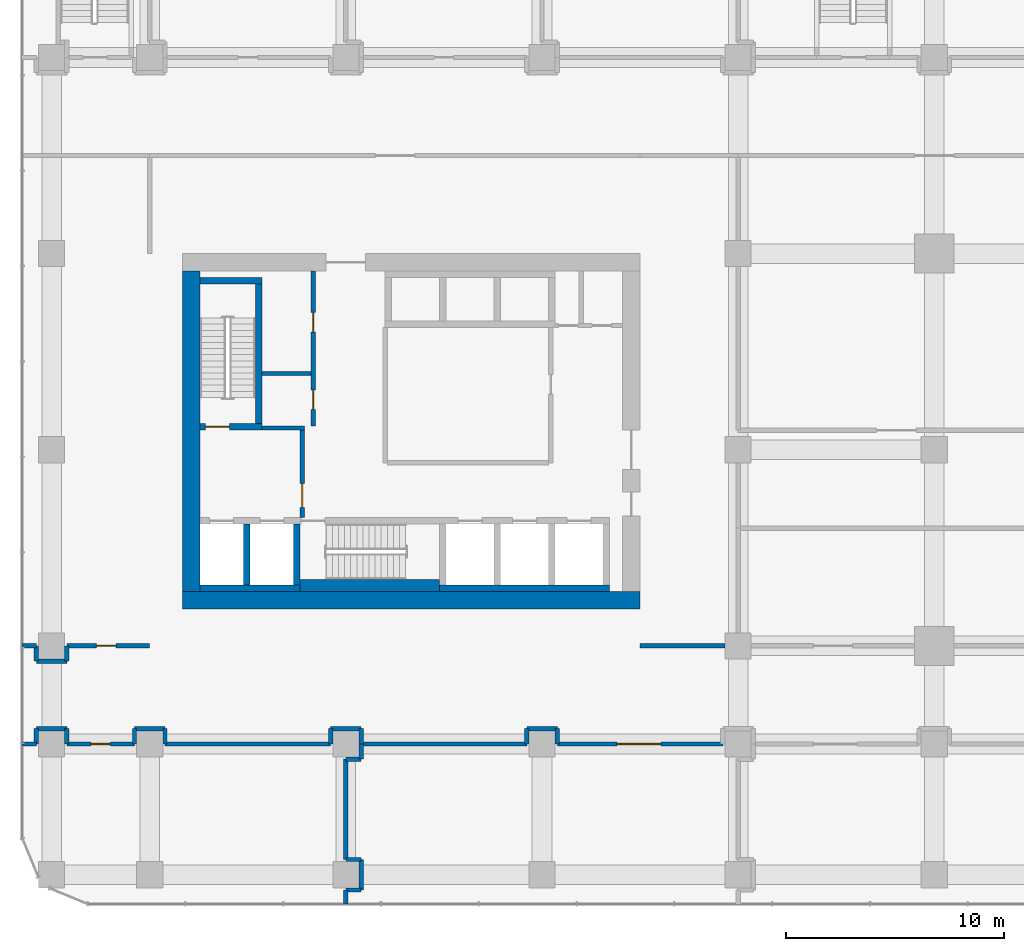
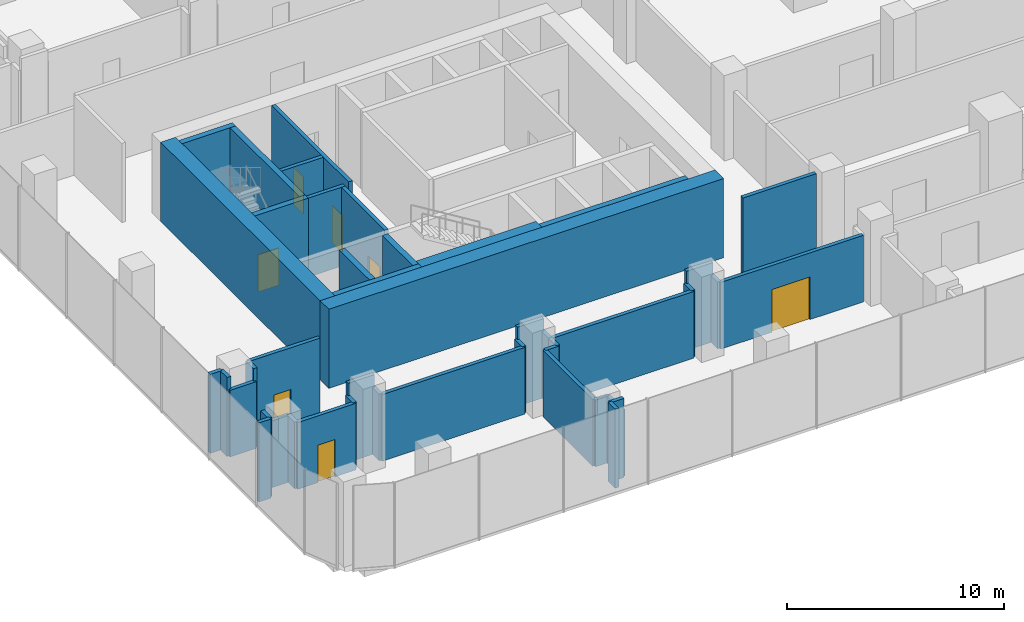
# One storey, part 28 of 42: 44 walls, 7 doors, 7 openings.
"""IFC4 building model written with IfcOpenShell, lengths in metres."""

from ifc_helpers import new_model, si_unit, direction, frame, frame_2d, origin, place, context, subcontext, project, spatial, rectangle, extrude, material, layer, layer_set, type_object, element, fill, save


model = new_model("IFC4")

# Units and contexts
model_context = context("Model", 3, precision=1e-05, world=origin(), true_north=direction((0.0, 1.0)))
body_context = subcontext(model_context, "Body", "Model", "MODEL_VIEW")
ifc_project = project(units=[si_unit("LENGTHUNIT", "METRE"), si_unit("AREAUNIT", "SQUARE_METRE"), si_unit("VOLUMEUNIT", "CUBIC_METRE"), si_unit("PLANEANGLEUNIT", "RADIAN"), si_unit("MASSUNIT", "GRAM", prefix="KILO")], contexts=[model_context])

# Site, building, storey
site_placement = place(None, origin())
site = spatial("IfcSite", under=ifc_project, at=site_placement, CompositionType="ELEMENT")
building_placement = place(site_placement, origin())
building = spatial("IfcBuilding", under=site, at=building_placement, Name="Plateau Cross Towers", CompositionType="ELEMENT")
storey_placement = place(building_placement, frame((0.0, 0.0, 8.0)))
storey = spatial("IfcBuildingStorey", under=building, at=storey_placement, Name="L01", CompositionType="ELEMENT", Elevation=8.0)

# Wall, opening, door
ifc_material_1 = material(Name="Concrete block, plastered both sides", Category="concrete")
ifc_layer_1 = layer(ifc_material_1, 0.199951171875)
ifc_layer_set_1 = layer_set([ifc_layer_1], Name="Concrete block, plastered both sides")
wall_type_1 = type_object("IfcWallType", Name="Core partition 200", PredefinedType="PARTITIONING", material=ifc_layer_set_1)
wall_1_placement = place(storey_placement, frame((7.0, 5.89990234375, 0.0), z_axis=(0.0, 0.0, 1.0), x_axis=(0.0, 1.0, 0.0)))
wall_1 = element("IfcWall", 1, at=wall_1_placement, inside=storey, type_object=wall_type_1, Name="Core partition", PredefinedType="PARTITIONING", context=body_context, shape_type="SweptSolid", body=[
    extrude(rectangle(XDim=4.0, YDim=0.199951171875, at=frame_2d((2.0, 0.0))), origin(), (0.0, 0.0, 1.0), 4.449951171875),
])
opening_1_placement = place(wall_1_placement, frame((0.449951171875, 0.0, 0.0)))
opening_1 = element("IfcOpeningElement", 2, at=opening_1_placement, cuts=wall_1, Name="Opening FFD", PredefinedType="OPENING", context=body_context, shape_type="SweptSolid", body=[
    extrude(rectangle(XDim=1.10009765625, YDim=2.10009765625, at=frame_2d((0.550048828125, 1.050048828125))), frame((0.0, 0.10986328125, 0.0), z_axis=(0.0, -1.0, 0.0), x_axis=(1.0, 0.0, 0.0)), (0.0, 0.0, 1.0), 0.219970703125),
])
ifc_material_2 = material(Name="Steel, fire-resisting leaf", Category="steel")
door_type_1 = type_object("IfcDoorType", Name="Firefighting lobby door 1100", OperationType="NOTDEFINED", PredefinedType="DOOR", material=ifc_material_2)
door_1_placement = place(opening_1_placement, origin())
door_1 = element("IfcDoor", 3, at=door_1_placement, inside=storey, type_object=door_type_1, Name="Firefighting lobby door FFD", OperationType="SINGLE_SWING_LEFT", OverallHeight=2.10009765625, OverallWidth=1.10009765625, PredefinedType="DOOR", context=body_context, shape_type="SweptSolid", body=[
    extrude(rectangle(XDim=1.10009765625, YDim=2.10009765625, at=frame_2d((0.550048828125, 1.050048828125))), frame((0.0, 0.02490234375, 0.0), z_axis=(0.0, -1.0, 0.0), x_axis=(1.0, 0.0, 0.0)), (0.0, 0.0, 1.0), 0.050048828125),
])
fill(opening_1, door_1)

# Wall
wall_2_placement = place(storey_placement, frame((5.14990234375, 10.0, 0.0), z_axis=(0.0, 0.0, 1.0), x_axis=(1.0, 0.0, 0.0)))
element("IfcWall", 4, at=wall_2_placement, inside=storey, type_object=wall_type_1, Name="Core partition", PredefinedType="PARTITIONING", context=body_context, shape_type="SweptSolid", body=[
    extrude(rectangle(XDim=1.9501953125, YDim=0.199951171875, at=frame_2d((0.97509765625, 0.0))), origin(), (0.0, 0.0, 1.0), 4.449951171875),
])

# Wall, openings, doors
wall_3_placement = place(storey_placement, frame((7.5, 10.10009765625, 0.0), z_axis=(0.0, 0.0, 1.0), x_axis=(0.0, 1.0, 0.0)))
wall_3 = element("IfcWall", 5, at=wall_3_placement, inside=storey, type_object=wall_type_1, Name="Core partition", PredefinedType="PARTITIONING", context=body_context, shape_type="SweptSolid", body=[
    extrude(rectangle(XDim=7.099853515625, YDim=0.199951171875, at=frame_2d((3.5498046875, 0.0))), origin(), (0.0, 0.0, 1.0), 4.449951171875),
])
opening_2_placement = place(wall_3_placement, frame((0.75, 0.0, 0.0)))
opening_2 = element("IfcOpeningElement", 6, at=opening_2_placement, cuts=wall_3, Name="Opening RD1", PredefinedType="OPENING", context=body_context, shape_type="SweptSolid", body=[
    extrude(rectangle(XDim=0.89990234375, YDim=2.10009765625, at=frame_2d((0.449951171875, 1.050048828125))), frame((0.0, 0.10986328125, 0.0), z_axis=(0.0, -1.0, 0.0), x_axis=(1.0, 0.0, 0.0)), (0.0, 0.0, 1.0), 0.219970703125),
])
opening_3_placement = place(wall_3_placement, frame((4.300048828125, 0.0, 0.0)))
opening_3 = element("IfcOpeningElement", 7, at=opening_3_placement, cuts=wall_3, Name="Opening RD1", PredefinedType="OPENING", context=body_context, shape_type="SweptSolid", body=[
    extrude(rectangle(XDim=0.89990234375, YDim=2.10009765625, at=frame_2d((0.449951171875, 1.050048828125))), frame((0.0, 0.10986328125, 0.0), z_axis=(0.0, -1.0, 0.0), x_axis=(1.0, 0.0, 0.0)), (0.0, 0.0, 1.0), 0.219970703125),
])
ifc_material_3 = material(Name="Timber, fire-resisting leaf", Category="wood")
door_type_2 = type_object("IfcDoorType", Name="Core service door 900", OperationType="NOTDEFINED", PredefinedType="DOOR", material=ifc_material_3)
door_2_placement = place(opening_2_placement, origin())
door_2 = element("IfcDoor", 8, at=door_2_placement, inside=storey, type_object=door_type_2, Name="Core service door RD1", OperationType="SINGLE_SWING_RIGHT", OverallHeight=2.10009765625, OverallWidth=0.89990234375, PredefinedType="DOOR", context=body_context, shape_type="SweptSolid", body=[
    extrude(rectangle(XDim=0.89990234375, YDim=2.10009765625, at=frame_2d((0.449951171875, 1.050048828125))), frame((0.0, 0.02490234375, 0.0), z_axis=(0.0, -1.0, 0.0), x_axis=(1.0, 0.0, 0.0)), (0.0, 0.0, 1.0), 0.050048828125),
])
fill(opening_2, door_2)
door_3_placement = place(opening_3_placement, origin())
door_3 = element("IfcDoor", 9, at=door_3_placement, inside=storey, type_object=door_type_2, Name="Core service door RD1", OperationType="SINGLE_SWING_RIGHT", OverallHeight=2.10009765625, OverallWidth=0.89990234375, PredefinedType="DOOR", context=body_context, shape_type="SweptSolid", body=[
    extrude(rectangle(XDim=0.89990234375, YDim=2.10009765625, at=frame_2d((0.449951171875, 1.050048828125))), frame((0.0, 0.02490234375, 0.0), z_axis=(0.0, -1.0, 0.0), x_axis=(1.0, 0.0, 0.0)), (0.0, 0.0, 1.0), 0.050048828125),
])
fill(opening_3, door_3)

# Walls
wall_4_placement = place(storey_placement, frame((5.14990234375, 12.5, 0.0), z_axis=(0.0, 0.0, 1.0), x_axis=(1.0, 0.0, 0.0)))
element("IfcWall", 10, at=wall_4_placement, inside=storey, type_object=wall_type_1, Name="Core partition", PredefinedType="PARTITIONING", context=body_context, shape_type="SweptSolid", body=[
    extrude(rectangle(XDim=2.25, YDim=0.199951171875, at=frame_2d((1.125, 0.0))), origin(), (0.0, 0.0, 1.0), 4.449951171875),
])
ifc_material_4 = material(Name="Concrete C60/75", Category="concrete")
ifc_layer_2 = layer(ifc_material_4, 0.300048828125)
ifc_layer_set_2 = layer_set([ifc_layer_2], Name="Concrete C60/75")
wall_type_2 = type_object("IfcWallType", Name="Core shaft wall 300", PredefinedType="SHEAR", material=ifc_layer_set_2)
wall_5_placement = place(storey_placement, frame((2.300048828125, 2.64990234375, 0.0), z_axis=(0.0, 0.0, 1.0), x_axis=(1.0, 0.0, 0.0)))
element("IfcWall", 11, at=wall_5_placement, inside=storey, type_object=wall_type_2, Name="A-sb-back1@L01", PredefinedType="SHEAR", context=body_context, shape_type="SweptSolid", body=[
    extrude(rectangle(XDim=4.599853515625, YDim=0.300048828125, at=frame_2d((2.2998046875, 0.0))), origin(), (0.0, 0.0, 1.0), 4.449951171875),
])
wall_6_placement = place(storey_placement, frame((13.300048828125, 2.64990234375, 0.0), z_axis=(0.0, 0.0, 1.0), x_axis=(1.0, 0.0, 0.0)))
element("IfcWall", 12, at=wall_6_placement, inside=storey, type_object=wall_type_2, Name="A-sb-back3@L01", PredefinedType="SHEAR", context=body_context, shape_type="SweptSolid", body=[
    extrude(rectangle(XDim=7.800048828125, YDim=0.300048828125, at=frame_2d((3.89990234375, 0.0))), origin(), (0.0, 0.0, 1.0), 4.449951171875),
])
for number, where, z_axis, x_axis, name in (
    (13, (4.449951171875, 2.800048828125, 0.0), (0.0, 0.0, 1.0), (0.0, 1.0, 0.0), "A-sb-v1@L01"),
    (14, (6.75, 2.800048828125, 0.0), (0.0, 0.0, 1.0), (0.0, 1.0, 0.0), "A-sb-v2@L01"),
):
    element("IfcWall", number, at=place(storey_placement, frame(where, z_axis=z_axis, x_axis=x_axis)), inside=storey, type_object=wall_type_2, Name=name, PredefinedType="SHEAR", context=body_context, shape_type="SweptSolid", body=[
        extrude(rectangle(XDim=2.800048828125, YDim=0.300048828125, at=frame_2d((1.39990234375, 0.0))), origin(), (0.0, 0.0, 1.0), 4.449951171875),
    ])

# Wall, opening, door
wall_7_placement = place(storey_placement, frame((2.300048828125, 10.050048828125, 0.0), z_axis=(0.0, 0.0, 1.0), x_axis=(1.0, 0.0, 0.0)))
wall_7 = element("IfcWall", 15, at=wall_7_placement, inside=storey, type_object=wall_type_2, Name="A-st1-S@L01", PredefinedType="SHEAR", context=body_context, shape_type="SweptSolid", body=[
    extrude(rectangle(XDim=2.849853515625, YDim=0.300048828125, at=frame_2d((1.4248046875, 0.0))), origin(), (0.0, 0.0, 1.0), 4.449951171875),
])
opening_4_placement = place(wall_7_placement, frame((0.25, 0.0, 0.0)))
opening_4 = element("IfcOpeningElement", 16, at=opening_4_placement, cuts=wall_7, Name="Opening SD", PredefinedType="OPENING", context=body_context, shape_type="SweptSolid", body=[
    extrude(rectangle(XDim=1.10009765625, YDim=2.10009765625, at=frame_2d((0.550048828125, 1.050048828125))), frame((0.0, 0.159912109375, 0.0), z_axis=(0.0, -1.0, 0.0), x_axis=(1.0, 0.0, 0.0)), (0.0, 0.0, 1.0), 0.320068359375),
])
door_type_3 = type_object("IfcDoorType", Name="Stair door 1100", OperationType="NOTDEFINED", PredefinedType="DOOR", material=ifc_material_2)
door_4_placement = place(opening_4_placement, origin())
door_4 = element("IfcDoor", 17, at=door_4_placement, inside=storey, type_object=door_type_3, Name="Stair door SD", OperationType="SINGLE_SWING_RIGHT", OverallHeight=2.10009765625, OverallWidth=1.10009765625, PredefinedType="DOOR", context=body_context, shape_type="SweptSolid", body=[
    extrude(rectangle(XDim=1.10009765625, YDim=2.10009765625, at=frame_2d((0.550048828125, 1.050048828125))), frame((0.0, 0.02490234375, 0.0), z_axis=(0.0, -1.0, 0.0), x_axis=(1.0, 0.0, 0.0)), (0.0, 0.0, 1.0), 0.050048828125),
])
fill(opening_4, door_4)

# Walls
wall_8_placement = place(storey_placement, frame((5.0, 10.199951171875, 0.0), z_axis=(0.0, 0.0, 1.0), x_axis=(0.0, 1.0, 0.0)))
element("IfcWall", 18, at=wall_8_placement, inside=storey, type_object=wall_type_2, Name="A-st1-E@L01", PredefinedType="SHEAR", context=body_context, shape_type="SweptSolid", body=[
    extrude(rectangle(XDim=6.400146484375, YDim=0.300048828125, at=frame_2d((3.2001953125, 0.0))), origin(), (0.0, 0.0, 1.0), 4.449951171875),
])
wall_9_placement = place(storey_placement, frame((2.300048828125, 16.75, 0.0), z_axis=(0.0, 0.0, 1.0), x_axis=(1.0, 0.0, 0.0)))
element("IfcWall", 19, at=wall_9_placement, inside=storey, type_object=wall_type_2, Name="A-st1-N@L01", PredefinedType="SHEAR", context=body_context, shape_type="SweptSolid", body=[
    extrude(rectangle(XDim=2.849853515625, YDim=0.300048828125, at=frame_2d((1.4248046875, 0.0))), origin(), (0.0, 0.0, 1.0), 4.449951171875),
])
ifc_layer_3 = layer(ifc_material_4, 0.550048828125)
ifc_layer_set_3 = layer_set([ifc_layer_3], Name="Concrete C60/75")
wall_type_3 = type_object("IfcWallType", Name="Core shaft wall 550", PredefinedType="SHEAR", material=ifc_layer_set_3)
wall_10_placement = place(storey_placement, frame((6.89990234375, 2.77490234375, 0.0), z_axis=(0.0, 0.0, 1.0), x_axis=(1.0, 0.0, 0.0)))
element("IfcWall", 20, at=wall_10_placement, inside=storey, type_object=wall_type_3, Name="A-sb-back2@L01", PredefinedType="SHEAR", context=body_context, shape_type="SweptSolid", body=[
    extrude(rectangle(XDim=6.400146484375, YDim=0.550048828125, at=frame_2d((3.2001953125, 0.0))), origin(), (0.0, 0.0, 1.0), 4.449951171875),
])
ifc_layer_4 = layer(ifc_material_4, 0.800048828125)
ifc_layer_set_4 = layer_set([ifc_layer_4], Name="Concrete C60/75")
wall_type_4 = type_object("IfcWallType", Name="Core shell wall 800", PredefinedType="SHEAR", material=ifc_layer_set_4)
wall_11_placement = place(storey_placement, frame((1.5, 2.10009765625, 0.0), z_axis=(0.0, 0.0, 1.0), x_axis=(1.0, 0.0, 0.0)))
element("IfcWall", 21, at=wall_11_placement, inside=storey, type_object=wall_type_4, Name="A-core-S@L01", PredefinedType="SHEAR", context=body_context, shape_type="SweptSolid", body=[
    extrude(rectangle(XDim=21.0, YDim=0.800048828125, at=frame_2d((10.5, 0.0))), origin(), (0.0, 0.0, 1.0), 4.449951171875),
])
wall_12_placement = place(storey_placement, frame((1.89990234375, 2.5, 0.0), z_axis=(0.0, 0.0, 1.0), x_axis=(0.0, 1.0, 0.0)))
element("IfcWall", 22, at=wall_12_placement, inside=storey, type_object=wall_type_4, Name="A-core-W@L01", PredefinedType="SHEAR", context=body_context, shape_type="SweptSolid", body=[
    extrude(rectangle(XDim=14.699951171875, YDim=0.800048828125, at=frame_2d((7.35009765625, 0.0))), origin(), (0.0, 0.0, 1.0), 4.449951171875),
])

# Wall, opening, door
ifc_material_5 = material(Name="Gypsum board on steel studs, two layers each side", Category="steel")
ifc_layer_5 = layer(ifc_material_5, 0.199951171875)
ifc_layer_set_5 = layer_set([ifc_layer_5], Name="Gypsum board on steel studs, two layers each side")
wall_type_5 = type_object("IfcWallType", Name="Podium compartment wall 200", PredefinedType="PARTITIONING", material=ifc_layer_set_5)
wall_13_placement = place(storey_placement, frame((-3.800048828125, 0.0, 0.0), z_axis=(0.0, 0.0, 1.0), x_axis=(1.0, 0.0, 0.0)))
wall_13 = element("IfcWall", 23, at=wall_13_placement, inside=storey, type_object=wall_type_5, Name="Partition wall", PredefinedType="PARTITIONING", context=body_context, shape_type="SweptSolid", body=[
    extrude(rectangle(XDim=3.800048828125, YDim=0.199951171875, at=frame_2d((1.89990234375, 0.0))), origin(), (0.0, 0.0, 1.0), 4.449951171875),
])
opening_5_placement = place(wall_13_placement, frame((1.35009765625, 0.0, 0.0)))
opening_5 = element("IfcOpeningElement", 24, at=opening_5_placement, cuts=wall_13, Name="Opening 01-25", PredefinedType="OPENING", context=body_context, shape_type="SweptSolid", body=[
    extrude(rectangle(XDim=0.89990234375, YDim=2.10009765625, at=frame_2d((0.449951171875, 1.050048828125))), frame((0.0, 0.10986328125, 0.0), z_axis=(0.0, -1.0, 0.0), x_axis=(1.0, 0.0, 0.0)), (0.0, 0.0, 1.0), 0.219970703125),
])
door_type_4 = type_object("IfcDoorType", Name="Podium service door 900", OperationType="NOTDEFINED", PredefinedType="DOOR", material=ifc_material_3)
door_5_placement = place(opening_5_placement, origin())
door_5 = element("IfcDoor", 25, at=door_5_placement, inside=storey, type_object=door_type_4, Name="Door 01-25", OperationType="SINGLE_SWING_LEFT", OverallHeight=2.10009765625, OverallWidth=0.89990234375, PredefinedType="DOOR", context=body_context, shape_type="SweptSolid", body=[
    extrude(rectangle(XDim=0.89990234375, YDim=2.10009765625, at=frame_2d((0.449951171875, 1.050048828125))), frame((0.0, 0.02490234375, 0.0), z_axis=(0.0, -1.0, 0.0), x_axis=(1.0, 0.0, 0.0)), (0.0, 0.0, 1.0), 0.050048828125),
])
fill(opening_5, door_5)

ifc_material_6 = material(Name="Gypsum board on steel studs", Category="steel")
ifc_layer_6 = layer(ifc_material_6, 0.199951171875)
ifc_layer_set_6 = layer_set([ifc_layer_6], Name="Gypsum board on steel studs")
wall_type_6 = type_object("IfcWallType", Name="Podium partition 200", PredefinedType="PARTITIONING", material=ifc_layer_set_6)
wall_14_placement = place(storey_placement, frame((26.300048828125, -4.5, 0.0), z_axis=(0.0, 0.0, 1.0), x_axis=(-1.0, 0.0, 0.0)))
wall_14 = element("IfcWall", 26, at=wall_14_placement, inside=storey, type_object=wall_type_6, Name="Partition wall", PredefinedType="PARTITIONING", context=body_context, shape_type="SweptSolid", body=[
    extrude(rectangle(XDim=7.60009765625, YDim=0.199951171875, at=frame_2d((3.800048828125, 0.0))), origin(), (0.0, 0.0, 1.0), 3.75),
])
opening_6_placement = place(wall_14_placement, frame((2.85009765625, 0.0, 0.0)))
opening_6 = element("IfcOpeningElement", 27, at=opening_6_placement, cuts=wall_14, Name="Opening 01-08", PredefinedType="OPENING", context=body_context, shape_type="SweptSolid", body=[
    extrude(rectangle(XDim=2.0, YDim=2.39990234375, at=frame_2d((1.0, 1.199951171875))), frame((0.0, 0.10986328125, 0.0), z_axis=(0.0, -1.0, 0.0), x_axis=(1.0, 0.0, 0.0)), (0.0, 0.0, 1.0), 0.219970703125),
])
ifc_material_7 = material(Name="Aluminium frame, toughened glass", Category="aluminium")
door_type_5 = type_object("IfcDoorType", Name="Shop entrance double door 2000x2400", OperationType="NOTDEFINED", PredefinedType="DOOR", material=ifc_material_7)
door_6_placement = place(opening_6_placement, origin())
door_6 = element("IfcDoor", 28, at=door_6_placement, inside=storey, type_object=door_type_5, Name="Door 01-08", OperationType="SINGLE_SWING_LEFT", OverallHeight=2.39990234375, OverallWidth=2.0, PredefinedType="DOOR", context=body_context, shape_type="SweptSolid", body=[
    extrude(rectangle(XDim=2.0, YDim=2.39990234375, at=frame_2d((1.0, 1.199951171875))), frame((0.0, 0.02490234375, 0.0), z_axis=(0.0, -1.0, 0.0), x_axis=(1.0, 0.0, 0.0)), (0.0, 0.0, 1.0), 0.050048828125),
])
fill(opening_6, door_6)

# Walls
wall_15_placement = place(storey_placement, frame((18.699951171875, -4.5, 0.0), z_axis=(0.0, 0.0, 1.0), x_axis=(0.0, 1.0, 0.0)))
element("IfcWall", 29, at=wall_15_placement, inside=storey, type_object=wall_type_6, Name="Partition wall", PredefinedType="PARTITIONING", context=body_context, shape_type="SweptSolid", body=[
    extrude(rectangle(XDim=0.699951171875, YDim=0.199951171875, at=frame_2d((0.35009765625, 0.0))), origin(), (0.0, 0.0, 1.0), 3.75),
])
wall_16_placement = place(storey_placement, frame((18.699951171875, -3.800048828125, 0.0), z_axis=(0.0, 0.0, 1.0), x_axis=(-1.0, 0.0, 0.0)))
element("IfcWall", 30, at=wall_16_placement, inside=storey, type_object=wall_type_6, Name="Partition wall", PredefinedType="PARTITIONING", context=body_context, shape_type="SweptSolid", body=[
    extrude(rectangle(XDim=1.39990234375, YDim=0.199951171875, at=frame_2d((0.699951171875, 0.0))), origin(), (0.0, 0.0, 1.0), 4.449951171875),
])
wall_17_placement = place(storey_placement, frame((17.300048828125, -3.800048828125, 0.0), z_axis=(0.0, 0.0, 1.0), x_axis=(0.0, -1.0, 0.0)))
element("IfcWall", 31, at=wall_17_placement, inside=storey, type_object=wall_type_6, Name="Partition wall", PredefinedType="PARTITIONING", context=body_context, shape_type="SweptSolid", body=[
    extrude(rectangle(XDim=0.699951171875, YDim=0.199951171875, at=frame_2d((0.35009765625, 0.0))), origin(), (0.0, 0.0, 1.0), 3.75),
])
wall_18_placement = place(storey_placement, frame((17.300048828125, -4.5, 0.0), z_axis=(0.0, 0.0, 1.0), x_axis=(-1.0, 0.0, 0.0)))
element("IfcWall", 32, at=wall_18_placement, inside=storey, type_object=wall_type_6, Name="Partition wall", PredefinedType="PARTITIONING", context=body_context, shape_type="SweptSolid", body=[
    extrude(rectangle(XDim=7.60009765625, YDim=0.199951171875, at=frame_2d((3.800048828125, 0.0))), origin(), (0.0, 0.0, 1.0), 3.75),
])
wall_19_placement = place(storey_placement, frame((9.699951171875, -4.5, 0.0), z_axis=(0.0, 0.0, 1.0), x_axis=(0.0, 1.0, 0.0)))
element("IfcWall", 33, at=wall_19_placement, inside=storey, type_object=wall_type_6, Name="Partition wall", PredefinedType="PARTITIONING", context=body_context, shape_type="SweptSolid", body=[
    extrude(rectangle(XDim=0.699951171875, YDim=0.199951171875, at=frame_2d((0.35009765625, 0.0))), origin(), (0.0, 0.0, 1.0), 3.75),
])
wall_20_placement = place(storey_placement, frame((9.699951171875, -3.800048828125, 0.0), z_axis=(0.0, 0.0, 1.0), x_axis=(-1.0, 0.0, 0.0)))
element("IfcWall", 34, at=wall_20_placement, inside=storey, type_object=wall_type_6, Name="Partition wall", PredefinedType="PARTITIONING", context=body_context, shape_type="SweptSolid", body=[
    extrude(rectangle(XDim=1.39990234375, YDim=0.199951171875, at=frame_2d((0.699951171875, 0.0))), origin(), (0.0, 0.0, 1.0), 4.449951171875),
])
wall_21_placement = place(storey_placement, frame((8.300048828125, -3.800048828125, 0.0), z_axis=(0.0, 0.0, 1.0), x_axis=(0.0, -1.0, 0.0)))
element("IfcWall", 35, at=wall_21_placement, inside=storey, type_object=wall_type_6, Name="Partition wall", PredefinedType="PARTITIONING", context=body_context, shape_type="SweptSolid", body=[
    extrude(rectangle(XDim=0.699951171875, YDim=0.199951171875, at=frame_2d((0.35009765625, 0.0))), origin(), (0.0, 0.0, 1.0), 3.75),
])
wall_22_placement = place(storey_placement, frame((8.300048828125, -4.5, 0.0), z_axis=(0.0, 0.0, 1.0), x_axis=(-1.0, 0.0, 0.0)))
element("IfcWall", 36, at=wall_22_placement, inside=storey, type_object=wall_type_6, Name="Partition wall", PredefinedType="PARTITIONING", context=body_context, shape_type="SweptSolid", body=[
    extrude(rectangle(XDim=7.60009765625, YDim=0.199951171875, at=frame_2d((3.800048828125, 0.0))), origin(), (0.0, 0.0, 1.0), 3.75),
])
wall_23_placement = place(storey_placement, frame((0.699951171875, -4.5, 0.0), z_axis=(0.0, 0.0, 1.0), x_axis=(0.0, 1.0, 0.0)))
element("IfcWall", 37, at=wall_23_placement, inside=storey, type_object=wall_type_6, Name="Partition wall", PredefinedType="PARTITIONING", context=body_context, shape_type="SweptSolid", body=[
    extrude(rectangle(XDim=0.699951171875, YDim=0.199951171875, at=frame_2d((0.35009765625, 0.0))), origin(), (0.0, 0.0, 1.0), 3.75),
])
wall_24_placement = place(storey_placement, frame((0.699951171875, -3.800048828125, 0.0), z_axis=(0.0, 0.0, 1.0), x_axis=(-1.0, 0.0, 0.0)))
element("IfcWall", 38, at=wall_24_placement, inside=storey, type_object=wall_type_6, Name="Partition wall", PredefinedType="PARTITIONING", context=body_context, shape_type="SweptSolid", body=[
    extrude(rectangle(XDim=1.39990234375, YDim=0.199951171875, at=frame_2d((0.699951171875, 0.0))), origin(), (0.0, 0.0, 1.0), 4.449951171875),
])
wall_25_placement = place(storey_placement, frame((-0.699951171875, -3.800048828125, 0.0), z_axis=(0.0, 0.0, 1.0), x_axis=(0.0, -1.0, 0.0)))
element("IfcWall", 39, at=wall_25_placement, inside=storey, type_object=wall_type_6, Name="Partition wall", PredefinedType="PARTITIONING", context=body_context, shape_type="SweptSolid", body=[
    extrude(rectangle(XDim=0.699951171875, YDim=0.199951171875, at=frame_2d((0.35009765625, 0.0))), origin(), (0.0, 0.0, 1.0), 3.75),
])

# Wall, opening, door
wall_26_placement = place(storey_placement, frame((-0.699951171875, -4.5, 0.0), z_axis=(0.0, 0.0, 1.0), x_axis=(-1.0, 0.0, 0.0)))
wall_26 = element("IfcWall", 40, at=wall_26_placement, inside=storey, type_object=wall_type_6, Name="Partition wall", PredefinedType="PARTITIONING", context=body_context, shape_type="SweptSolid", body=[
    extrude(rectangle(XDim=3.10009765625, YDim=0.199951171875, at=frame_2d((1.550048828125, 0.0))), origin(), (0.0, 0.0, 1.0), 3.75),
])
opening_7_placement = place(wall_26_placement, frame((1.10009765625, 0.0, 0.0)))
opening_7 = element("IfcOpeningElement", 41, at=opening_7_placement, cuts=wall_26, Name="Opening 01-07", PredefinedType="OPENING", context=body_context, shape_type="SweptSolid", body=[
    extrude(rectangle(XDim=0.89990234375, YDim=2.10009765625, at=frame_2d((0.449951171875, 1.050048828125))), frame((0.0, 0.10986328125, 0.0), z_axis=(0.0, -1.0, 0.0), x_axis=(1.0, 0.0, 0.0)), (0.0, 0.0, 1.0), 0.219970703125),
])
ifc_material_8 = material(Name="Timber leaf", Category="wood")
door_type_6 = type_object("IfcDoorType", Name="Podium room door 900", OperationType="NOTDEFINED", PredefinedType="DOOR", material=ifc_material_8)
door_7_placement = place(opening_7_placement, origin())
door_7 = element("IfcDoor", 42, at=door_7_placement, inside=storey, type_object=door_type_6, Name="Door 01-07", OperationType="SINGLE_SWING_LEFT", OverallHeight=2.10009765625, OverallWidth=0.89990234375, PredefinedType="DOOR", context=body_context, shape_type="SweptSolid", body=[
    extrude(rectangle(XDim=0.89990234375, YDim=2.10009765625, at=frame_2d((0.449951171875, 1.050048828125))), frame((0.0, 0.02490234375, 0.0), z_axis=(0.0, -1.0, 0.0), x_axis=(1.0, 0.0, 0.0)), (0.0, 0.0, 1.0), 0.050048828125),
])
fill(opening_7, door_7)

# Walls
for number, where, z_axis, x_axis, name in (
    (43, (-3.800048828125, -4.5, 0.0), (0.0, 0.0, 1.0), (0.0, 1.0, 0.0), "Partition wall"),
    (44, (9.699951171875, -4.5, 0.0), (0.0, 0.0, 1.0), (0.0, -1.0, 0.0), "Partition wall"),
    (45, (9.699951171875, -5.199951171875, 0.0), (0.0, 0.0, 1.0), (-1.0, 0.0, 0.0), "Partition wall"),
):
    element("IfcWall", number, at=place(storey_placement, frame(where, z_axis=z_axis, x_axis=x_axis)), inside=storey, type_object=wall_type_6, Name=name, PredefinedType="PARTITIONING", context=body_context, shape_type="SweptSolid", body=[
        extrude(rectangle(XDim=0.699951171875, YDim=0.199951171875, at=frame_2d((0.35009765625, 0.0))), origin(), (0.0, 0.0, 1.0), 3.75),
    ])
wall_27_placement = place(storey_placement, frame((9.0, -5.199951171875, 0.0), z_axis=(0.0, 0.0, 1.0), x_axis=(0.0, -1.0, 0.0)))
element("IfcWall", 46, at=wall_27_placement, inside=storey, type_object=wall_type_6, Name="Partition wall", PredefinedType="PARTITIONING", context=body_context, shape_type="SweptSolid", body=[
    extrude(rectangle(XDim=4.60009765625, YDim=0.199951171875, at=frame_2d((2.300048828125, 0.0))), origin(), (0.0, 0.0, 1.0), 3.75),
])
wall_28_placement = place(storey_placement, frame((9.0, -9.800048828125, 0.0), z_axis=(0.0, 0.0, 1.0), x_axis=(1.0, 0.0, 0.0)))
element("IfcWall", 47, at=wall_28_placement, inside=storey, type_object=wall_type_6, Name="Partition wall", PredefinedType="PARTITIONING", context=body_context, shape_type="SweptSolid", body=[
    extrude(rectangle(XDim=0.699951171875, YDim=0.199951171875, at=frame_2d((0.35009765625, 0.0))), origin(), (0.0, 0.0, 1.0), 3.75),
])
wall_29_placement = place(storey_placement, frame((9.699951171875, -9.800048828125, 0.0), z_axis=(0.0, 0.0, 1.0), x_axis=(0.0, -1.0, 0.0)))
element("IfcWall", 48, at=wall_29_placement, inside=storey, type_object=wall_type_6, Name="Partition wall", PredefinedType="PARTITIONING", context=body_context, shape_type="SweptSolid", body=[
    extrude(rectangle(XDim=1.39990234375, YDim=0.199951171875, at=frame_2d((0.699951171875, 0.0))), origin(), (0.0, 0.0, 1.0), 3.75),
])
wall_30_placement = place(storey_placement, frame((9.699951171875, -11.199951171875, 0.0), z_axis=(0.0, 0.0, 1.0), x_axis=(-1.0, 0.0, 0.0)))
element("IfcWall", 49, at=wall_30_placement, inside=storey, type_object=wall_type_6, Name="Partition wall", PredefinedType="PARTITIONING", context=body_context, shape_type="SweptSolid", body=[
    extrude(rectangle(XDim=0.699951171875, YDim=0.199951171875, at=frame_2d((0.35009765625, 0.0))), origin(), (0.0, 0.0, 1.0), 4.449951171875),
])
for number, where, z_axis, x_axis, name in (
    (50, (9.0, -11.199951171875, 0.0), (0.0, 0.0, 1.0), (0.0, -1.0, 0.0), "Partition wall"),
    (51, (-5.85009765625, 0.0, 0.0), (0.0, 0.0, 1.0), (1.0, 0.0, 0.0), "Partition wall"),
):
    element("IfcWall", number, at=place(storey_placement, frame(where, z_axis=z_axis, x_axis=x_axis)), inside=storey, type_object=wall_type_6, Name=name, PredefinedType="PARTITIONING", context=body_context, shape_type="SweptSolid", body=[
        extrude(rectangle(XDim=0.650146484375, YDim=0.199951171875, at=frame_2d((0.3251953125, 0.0))), origin(), (0.0, 0.0, 1.0), 4.449951171875),
    ])
wall_31_placement = place(storey_placement, frame((-5.199951171875, 0.0, 0.0), z_axis=(0.0, 0.0, 1.0), x_axis=(0.0, -1.0, 0.0)))
element("IfcWall", 52, at=wall_31_placement, inside=storey, type_object=wall_type_6, Name="Partition wall", PredefinedType="PARTITIONING", context=body_context, shape_type="SweptSolid", body=[
    extrude(rectangle(XDim=0.699951171875, YDim=0.199951171875, at=frame_2d((0.35009765625, 0.0))), origin(), (0.0, 0.0, 1.0), 4.449951171875),
])
wall_32_placement = place(storey_placement, frame((-5.199951171875, -0.699951171875, 0.0), z_axis=(0.0, 0.0, 1.0), x_axis=(1.0, 0.0, 0.0)))
element("IfcWall", 53, at=wall_32_placement, inside=storey, type_object=wall_type_6, Name="Partition wall", PredefinedType="PARTITIONING", context=body_context, shape_type="SweptSolid", body=[
    extrude(rectangle(XDim=1.39990234375, YDim=0.199951171875, at=frame_2d((0.699951171875, 0.0))), origin(), (0.0, 0.0, 1.0), 3.75),
])
wall_33_placement = place(storey_placement, frame((-3.800048828125, -0.699951171875, 0.0), z_axis=(0.0, 0.0, 1.0), x_axis=(0.0, 1.0, 0.0)))
element("IfcWall", 54, at=wall_33_placement, inside=storey, type_object=wall_type_6, Name="Partition wall", PredefinedType="PARTITIONING", context=body_context, shape_type="SweptSolid", body=[
    extrude(rectangle(XDim=0.699951171875, YDim=0.199951171875, at=frame_2d((0.35009765625, 0.0))), origin(), (0.0, 0.0, 1.0), 4.449951171875),
])
wall_34_placement = place(storey_placement, frame((26.39990234375, 0.0, 0.0), z_axis=(0.0, 0.0, 1.0), x_axis=(-1.0, 0.0, 0.0)))
element("IfcWall", 55, at=wall_34_placement, inside=storey, type_object=wall_type_6, Name="Partition wall", PredefinedType="PARTITIONING", context=body_context, shape_type="SweptSolid", body=[
    extrude(rectangle(XDim=3.89990234375, YDim=0.199951171875, at=frame_2d((1.949951171875, 0.0))), origin(), (0.0, 0.0, 1.0), 4.449951171875),
])
wall_35_placement = place(storey_placement, frame((-3.800048828125, -3.800048828125, 0.0), z_axis=(0.0, 0.0, 1.0), x_axis=(-1.0, 0.0, 0.0)))
element("IfcWall", 56, at=wall_35_placement, inside=storey, type_object=wall_type_6, Name="Partition wall", PredefinedType="PARTITIONING", context=body_context, shape_type="SweptSolid", body=[
    extrude(rectangle(XDim=1.39990234375, YDim=0.199951171875, at=frame_2d((0.699951171875, 0.0))), origin(), (0.0, 0.0, 1.0), 3.75),
])
wall_36_placement = place(storey_placement, frame((-5.199951171875, -3.800048828125, 0.0), z_axis=(0.0, 0.0, 1.0), x_axis=(0.0, -1.0, 0.0)))
element("IfcWall", 57, at=wall_36_placement, inside=storey, type_object=wall_type_6, Name="Partition wall", PredefinedType="PARTITIONING", context=body_context, shape_type="SweptSolid", body=[
    extrude(rectangle(XDim=0.699951171875, YDim=0.199951171875, at=frame_2d((0.35009765625, 0.0))), origin(), (0.0, 0.0, 1.0), 4.449951171875),
])
wall_37_placement = place(storey_placement, frame((-5.199951171875, -4.5, 0.0), z_axis=(0.0, 0.0, 1.0), x_axis=(-1.0, 0.0, 0.0)))
element("IfcWall", 58, at=wall_37_placement, inside=storey, type_object=wall_type_6, Name="Partition wall", PredefinedType="PARTITIONING", context=body_context, shape_type="SweptSolid", body=[
    extrude(rectangle(XDim=0.650146484375, YDim=0.199951171875, at=frame_2d((0.3251953125, 0.0))), origin(), (0.0, 0.0, 1.0), 4.449951171875),
])

save(model, "model.ifc")
